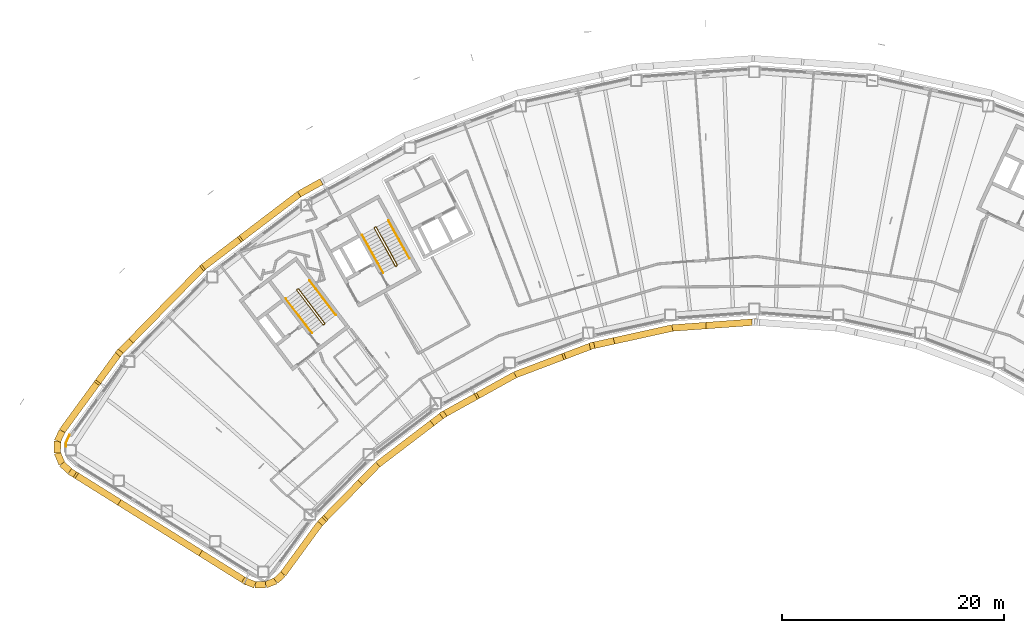
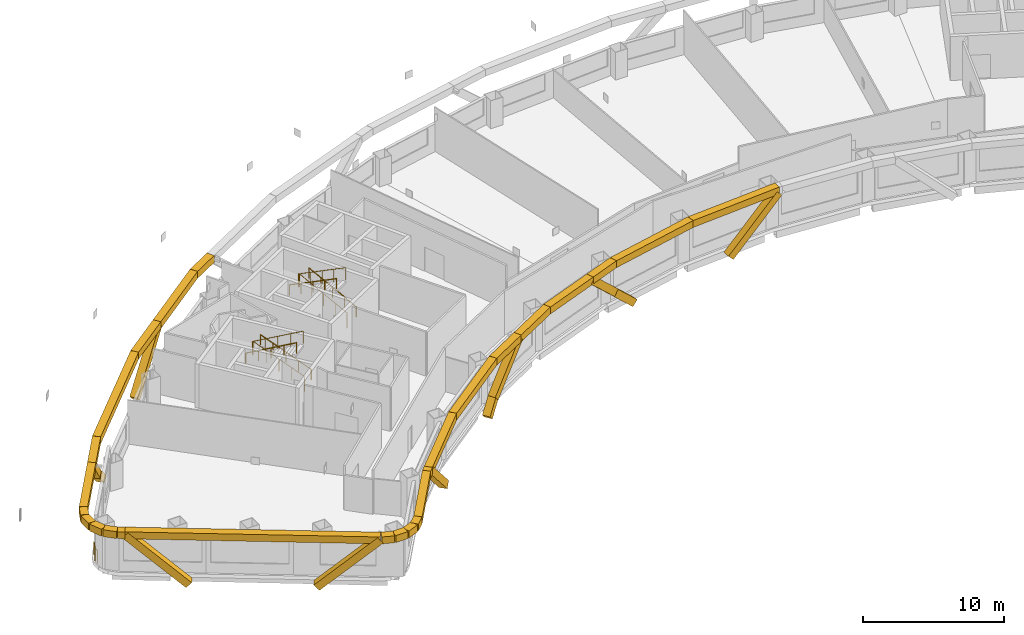
# One storey, part 16 of 19: 37 coverings, 7 railings.
"""IFC4 building model written with IfcOpenShell, lengths in metres."""

from ifc_helpers import new_model, si_unit, direction, frame, origin, origin_2d, place, context, subcontext, project, spatial, rectangle, circle, extrude, material, material_profile, profile_set, type_object, element, save


model = new_model("IFC4")

# Units and contexts
model_context = context("Model", 3, precision=1e-05, world=origin(), true_north=direction((0.0, 1.0)))
body_context = subcontext(model_context, "Body", "Model", "MODEL_VIEW")
ifc_project = project(units=[si_unit("LENGTHUNIT", "METRE"), si_unit("AREAUNIT", "SQUARE_METRE"), si_unit("VOLUMEUNIT", "CUBIC_METRE"), si_unit("PLANEANGLEUNIT", "RADIAN"), si_unit("MASSUNIT", "GRAM", prefix="KILO")], contexts=[model_context])

# Site, building, storey
site_placement = place(None, origin())
site = spatial("IfcSite", under=ifc_project, at=site_placement, CompositionType="ELEMENT")
building_placement = place(site_placement, origin())
building = spatial("IfcBuilding", under=site, at=building_placement, Name="Tuul Gate Civic Tower", CompositionType="ELEMENT")
storey_placement = place(building_placement, frame((0.0, 0.0, 163.39990234375)))
storey = spatial("IfcBuildingStorey", under=building, at=storey_placement, Name="Level 37", CompositionType="ELEMENT", Elevation=163.39990234375)

# Railings
ifc_material_1 = material(Name="Stainless steel", Category="steel")
railing_type_1 = type_object("IfcRailingType", Name="Edge guard", PredefinedType="GUARDRAIL", material=ifc_material_1)
railing_1_placement = place(storey_placement, frame((-56.40185546875, -23.521240234375, 0.0)))
element("IfcRailing", 1, at=railing_1_placement, inside=storey, type_object=railing_type_1, Name="Guard", PredefinedType="GUARDRAIL", context=body_context, shape_type="SweptSolid", body=[
    extrude(circle(Radius=0.02392578125, at=origin_2d()), frame((0.0, 0.0, 1.076171875), z_axis=(-0.415046684362, -0.9098001153, 0.0), x_axis=(0.9098001153, -0.415046684362, 0.0)), (0.0, 0.0, 1.0), 0.768798828125),
    extrude(circle(Radius=0.02392578125, at=origin_2d()), frame((-0.319091796875, -0.699462890625, 1.076171875), z_axis=(-0.024648056909, -0.999696190495, 0.0), x_axis=(0.999696190495, -0.024648056909, 0.0)), (0.0, 0.0, 1.0), 0.336669921875),
    extrude(circle(Radius=0.02099609375, at=origin_2d()), origin(), (0.0, 0.0, 1.0), 1.052001953125),
    extrude(circle(Radius=0.02099609375, at=origin_2d()), frame((-0.319091796875, -0.699462890625, 0.0)), (0.0, 0.0, 1.0), 1.052001953125),
    extrude(circle(Radius=0.02099609375, at=origin_2d()), frame((-0.327392578125, -1.0361328125, 0.0)), (0.0, 0.0, 1.0), 1.052001953125),
])
ifc_material_2 = material(Name="Painted steel", Category="steel")
railing_type_2 = type_object("IfcRailingType", Name="Stair guard", PredefinedType="GUARDRAIL", material=ifc_material_2)
railing_2_placement = place(storey_placement, frame((-33.382080078125, -13.515380859375, 0.0)))
element("IfcRailing", 2, at=railing_2_placement, inside=storey, type_object=railing_type_2, Name="Level 37 ST-1 stair guard 1", PredefinedType="GUARDRAIL", context=body_context, shape_type="SweptSolid", body=[
    extrude(circle(Radius=0.02392578125, at=origin_2d()), frame((0.0, 0.0, 1.076171875), z_axis=(-0.795879841968, -0.605454603706, 0.0), x_axis=(0.605454603706, -0.795879841968, 0.0)), (0.0, 0.0, 1.0), 0.10009765625),
    extrude(circle(Radius=0.02392578125, at=origin_2d()), frame((-0.07958984375, -0.060546875, 1.076171875), z_axis=(0.408676696321, 0.599019267211, 0.688592241747), x_axis=(-0.826063974707, 0.563576356576, 0.0)), (0.0, 0.0, 1.0), 0.218017578125),
    extrude(circle(Radius=0.02392578125, at=origin_2d()), frame((0.009521484375, 0.070068359375, 1.22607421875), z_axis=(-0.541824460341, 0.711645023348, 0.447199748346), x_axis=(-0.795637165283, -0.60577347352, 0.0)), (0.0, 0.0, 1.0), 4.3603515625),
    extrude(circle(Radius=0.02392578125, at=origin_2d()), frame((-2.35302734375, 3.173095703125, 3.17626953125), z_axis=(-0.990893089246, 0.134650977284, 0.0), x_axis=(-0.134650977284, -0.990893089246, 0.0)), (0.0, 0.0, 1.0), 0.07080078125),
    extrude(circle(Radius=0.02392578125, at=origin_2d()), frame((-2.423095703125, 3.1826171875, 3.17626953125), z_axis=(-0.793802879778, -0.60817512943, 0.0), x_axis=(0.60817512943, -0.793802879778, 0.0)), (0.0, 0.0, 1.0), 0.099853515625),
    extrude(circle(Radius=0.02392578125, at=origin_2d()), frame((-2.50244140625, 3.121826171875, 3.17626953125), z_axis=(-0.057447065493, -0.422751481959, 0.904423031091), x_axis=(0.990893089246, -0.134650977284, 0.0)), (0.0, 0.0, 1.0), 0.165771484375),
    extrude(circle(Radius=0.02392578125, at=origin_2d()), frame((-2.511962890625, 3.0517578125, 3.326171875), z_axis=(0.541792925989, -0.711621155064, 0.447275929392), x_axis=(0.795644365679, 0.605764016233, 0.0)), (0.0, 0.0, 1.0), 4.360107421875),
    extrude(circle(Radius=0.02099609375, at=origin_2d()), origin(), (0.0, 0.0, 1.0), 1.052001953125),
    extrude(circle(Radius=0.02099609375, at=origin_2d()), frame((-0.07958984375, -0.060546875, 0.0)), (0.0, 0.0, 1.0), 1.052001953125),
    extrude(circle(Radius=0.02099609375, at=origin_2d()), frame((0.009521484375, 0.070068359375, 0.150146484375)), (0.0, 0.0, 1.0), 1.052001953125),
    extrude(circle(Radius=0.02099609375, at=origin_2d()), frame((-0.5810546875, 0.845703125, 0.6376953125)), (0.0, 0.0, 1.0), 1.052001953125),
    extrude(circle(Radius=0.02099609375, at=origin_2d()), frame((-1.171875, 1.62158203125, 1.125)), (0.0, 0.0, 1.0), 1.052001953125),
    extrude(circle(Radius=0.02099609375, at=origin_2d()), frame((-1.762451171875, 2.3974609375, 1.612548828125)), (0.0, 0.0, 1.0), 1.052001953125),
    extrude(circle(Radius=0.02099609375, at=origin_2d()), frame((-2.35302734375, 3.173095703125, 2.10009765625)), (0.0, 0.0, 1.0), 1.052001953125),
    extrude(circle(Radius=0.02099609375, at=origin_2d()), frame((-2.423095703125, 3.1826171875, 2.10009765625)), (0.0, 0.0, 1.0), 1.052001953125),
    extrude(circle(Radius=0.02099609375, at=origin_2d()), frame((-2.50244140625, 3.121826171875, 2.10009765625)), (0.0, 0.0, 1.0), 1.052001953125),
    extrude(circle(Radius=0.02099609375, at=origin_2d()), frame((-2.511962890625, 3.0517578125, 2.25)), (0.0, 0.0, 1.0), 1.052001953125),
    extrude(circle(Radius=0.02099609375, at=origin_2d()), frame((-1.92138671875, 2.276123046875, 2.737548828125)), (0.0, 0.0, 1.0), 1.052001953125),
    extrude(circle(Radius=0.02099609375, at=origin_2d()), frame((-1.330810546875, 1.50048828125, 3.22509765625)), (0.0, 0.0, 1.0), 1.052001953125),
    extrude(circle(Radius=0.02099609375, at=origin_2d()), frame((-0.740234375, 0.724609375, 3.712646484375)), (0.0, 0.0, 1.0), 1.052001953125),
    extrude(circle(Radius=0.02099609375, at=origin_2d()), frame((-0.149658203125, -0.051025390625, 4.2001953125)), (0.0, 0.0, 1.0), 1.052001953125),
])
railing_3_placement = place(storey_placement, frame((-26.857666015625, -8.247314453125, 0.0)))
element("IfcRailing", 3, at=railing_3_placement, inside=storey, type_object=railing_type_2, Name="Level 37 ST-2 stair guard 1", PredefinedType="GUARDRAIL", context=body_context, shape_type="SweptSolid", body=[
    extrude(circle(Radius=0.02392578125, at=origin_2d()), frame((0.0, 0.0, 1.076171875), z_axis=(-0.874616555828, -0.48481530532, 0.0), x_axis=(0.48481530532, -0.874616555828, 0.0)), (0.0, 0.0, 1.0), 0.10009765625),
    extrude(circle(Radius=0.02392578125, at=origin_2d()), frame((-0.087646484375, -0.048583984375, 1.076171875), z_axis=(0.490435707169, 0.534104639999, 0.688625479244), x_axis=(-0.736576986774, 0.676353711126, 0.0)), (0.0, 0.0, 1.0), 0.218017578125),
    extrude(circle(Radius=0.02392578125, at=origin_2d()), frame((0.019287109375, 0.06787109375, 1.22607421875), z_axis=(-0.43354991378, 0.782327185242, 0.447212083348), x_axis=(-0.874667644053, -0.484723129681, 0.0)), (0.0, 0.0, 1.0), 4.3603515625),
    extrude(circle(Radius=0.02392578125, at=origin_2d()), frame((-1.87109375, 3.47900390625, 3.17626953125), z_axis=(-0.961263487578, 0.275631107549, 0.0), x_axis=(-0.275631107549, -0.961263487578, 0.0)), (0.0, 0.0, 1.0), 0.07080078125),
    extrude(circle(Radius=0.02392578125, at=origin_2d()), frame((-1.939208984375, 3.49853515625, 3.17626953125), z_axis=(-0.874042088414, -0.485850211157, 0.0), x_axis=(0.485850211157, -0.874042088414, 0.0)), (0.0, 0.0, 1.0), 0.10009765625),
    extrude(circle(Radius=0.02392578125, at=origin_2d()), frame((-2.026611328125, 3.449951171875, 3.17626953125), z_axis=(-0.117866478395, -0.409586012422, 0.90462522168), x_axis=(0.961000426733, -0.276546885391, 0.0)), (0.0, 0.0, 1.0), 0.165771484375),
    extrude(circle(Radius=0.02392578125, at=origin_2d()), frame((-2.046142578125, 3.382080078125, 3.326171875), z_axis=(0.433584522764, -0.782288604346, 0.447246018574), x_axis=(0.874641102302, 0.484771020343, 0.0)), (0.0, 0.0, 1.0), 4.3603515625),
    extrude(circle(Radius=0.02099609375, at=origin_2d()), origin(), (0.0, 0.0, 1.0), 1.052001953125),
    extrude(circle(Radius=0.02099609375, at=origin_2d()), frame((-0.087646484375, -0.048583984375, 0.0)), (0.0, 0.0, 1.0), 1.052001953125),
    extrude(circle(Radius=0.02099609375, at=origin_2d()), frame((0.019287109375, 0.06787109375, 0.150146484375)), (0.0, 0.0, 1.0), 1.052001953125),
    extrude(circle(Radius=0.02099609375, at=origin_2d()), frame((-0.453369140625, 0.920654296875, 0.6376953125)), (0.0, 0.0, 1.0), 1.052001953125),
    extrude(circle(Radius=0.02099609375, at=origin_2d()), frame((-0.92578125, 1.7734375, 1.125)), (0.0, 0.0, 1.0), 1.052001953125),
    extrude(circle(Radius=0.02099609375, at=origin_2d()), frame((-1.3984375, 2.626220703125, 1.612548828125)), (0.0, 0.0, 1.0), 1.052001953125),
    extrude(circle(Radius=0.02099609375, at=origin_2d()), frame((-1.87109375, 3.47900390625, 2.10009765625)), (0.0, 0.0, 1.0), 1.052001953125),
    extrude(circle(Radius=0.02099609375, at=origin_2d()), frame((-1.939208984375, 3.49853515625, 2.10009765625)), (0.0, 0.0, 1.0), 1.052001953125),
    extrude(circle(Radius=0.02099609375, at=origin_2d()), frame((-2.026611328125, 3.449951171875, 2.10009765625)), (0.0, 0.0, 1.0), 1.052001953125),
    extrude(circle(Radius=0.02099609375, at=origin_2d()), frame((-2.046142578125, 3.382080078125, 2.25)), (0.0, 0.0, 1.0), 1.052001953125),
    extrude(circle(Radius=0.02099609375, at=origin_2d()), frame((-1.573486328125, 2.529296875, 2.737548828125)), (0.0, 0.0, 1.0), 1.052001953125),
    extrude(circle(Radius=0.02099609375, at=origin_2d()), frame((-1.100830078125, 1.676513671875, 3.22509765625)), (0.0, 0.0, 1.0), 1.052001953125),
    extrude(circle(Radius=0.02099609375, at=origin_2d()), frame((-0.628173828125, 0.82373046875, 3.712646484375)), (0.0, 0.0, 1.0), 1.052001953125),
    extrude(circle(Radius=0.02099609375, at=origin_2d()), frame((-0.155517578125, -0.029052734375, 4.2001953125)), (0.0, 0.0, 1.0), 1.052001953125),
])
ifc_material_3 = material(Name="Painted steel", Category="steel")
railing_type_3 = type_object("IfcRailingType", Name="Stair handrail", PredefinedType="HANDRAIL", material=ifc_material_3)
railing_4_placement = place(storey_placement, frame((-32.3779296875, -12.688232421875, 0.150146484375)))
element("IfcRailing", 4, at=railing_4_placement, inside=storey, type_object=railing_type_3, Name="Level 37 ST-1 stair handrail 1", PredefinedType="HANDRAIL", context=body_context, shape_type="SweptSolid", body=[
    extrude(circle(Radius=0.02392578125, at=origin_2d()), frame((0.0, 0.0, 0.8759765625), z_axis=(-0.541824460341, 0.711645023348, 0.447199748346), x_axis=(-0.795637165283, -0.60577347352, 0.0)), (0.0, 0.0, 1.0), 4.3603515625),
    extrude(circle(Radius=0.02099609375, at=origin_2d()), origin(), (0.0, 0.0, 1.0), 0.851806640625),
    extrude(circle(Radius=0.02099609375, at=origin_2d()), frame((-0.590576171875, 0.77587890625, 0.487548828125)), (0.0, 0.0, 1.0), 0.851806640625),
    extrude(circle(Radius=0.02099609375, at=origin_2d()), frame((-1.18115234375, 1.551513671875, 0.97509765625)), (0.0, 0.0, 1.0), 0.851806640625),
    extrude(circle(Radius=0.02099609375, at=origin_2d()), frame((-1.77197265625, 2.3271484375, 1.46240234375)), (0.0, 0.0, 1.0), 0.851806640625),
    extrude(circle(Radius=0.02099609375, at=origin_2d()), frame((-2.362548828125, 3.10302734375, 1.949951171875)), (0.0, 0.0, 1.0), 0.851806640625),
])
railing_5_placement = place(storey_placement, frame((-36.888671875, -11.220703125, 2.25)))
element("IfcRailing", 5, at=railing_5_placement, inside=storey, type_object=railing_type_3, Name="Level 37 ST-1 stair handrail 2", PredefinedType="HANDRAIL", context=body_context, shape_type="SweptSolid", body=[
    extrude(circle(Radius=0.02392578125, at=origin_2d()), frame((0.0, 0.0, 0.8759765625), z_axis=(0.541810893183, -0.711627203922, 0.44724454012), x_axis=(0.795637165283, 0.60577347352, 0.0)), (0.0, 0.0, 1.0), 4.3603515625),
    extrude(circle(Radius=0.02099609375, at=origin_2d()), origin(), (0.0, 0.0, 1.0), 0.851806640625),
    extrude(circle(Radius=0.02099609375, at=origin_2d()), frame((0.590576171875, -0.77587890625, 0.487548828125)), (0.0, 0.0, 1.0), 0.851806640625),
    extrude(circle(Radius=0.02099609375, at=origin_2d()), frame((1.18115234375, -1.551513671875, 0.97509765625)), (0.0, 0.0, 1.0), 0.851806640625),
    extrude(circle(Radius=0.02099609375, at=origin_2d()), frame((1.77197265625, -2.3271484375, 1.462646484375)), (0.0, 0.0, 1.0), 0.851806640625),
    extrude(circle(Radius=0.02099609375, at=origin_2d()), frame((2.362548828125, -3.10302734375, 1.9501953125)), (0.0, 0.0, 1.0), 0.851806640625),
])
railing_6_placement = place(storey_placement, frame((-25.744873046875, -7.573486328125, 0.150146484375)))
element("IfcRailing", 6, at=railing_6_placement, inside=storey, type_object=railing_type_3, Name="Level 37 ST-2 stair handrail 1", PredefinedType="HANDRAIL", context=body_context, shape_type="SweptSolid", body=[
    extrude(circle(Radius=0.02392578125, at=origin_2d()), frame((0.0, 0.0, 0.8759765625), z_axis=(-0.433595379963, 0.782308193291, 0.447201226726), x_axis=(-0.874641102302, -0.484771020343, 0.0)), (0.0, 0.0, 1.0), 4.3603515625),
    extrude(circle(Radius=0.02099609375, at=origin_2d()), origin(), (0.0, 0.0, 1.0), 0.851806640625),
    extrude(circle(Radius=0.02099609375, at=origin_2d()), frame((-0.47265625, 0.852783203125, 0.487548828125)), (0.0, 0.0, 1.0), 0.851806640625),
    extrude(circle(Radius=0.02099609375, at=origin_2d()), frame((-0.9453125, 1.70556640625, 0.97509765625)), (0.0, 0.0, 1.0), 0.851806640625),
    extrude(circle(Radius=0.02099609375, at=origin_2d()), frame((-1.41796875, 2.558349609375, 1.46240234375)), (0.0, 0.0, 1.0), 0.851806640625),
    extrude(circle(Radius=0.02099609375, at=origin_2d()), frame((-1.890625, 3.4111328125, 1.949951171875)), (0.0, 0.0, 1.0), 0.851806640625),
])
railing_7_placement = place(storey_placement, frame((-29.9970703125, -5.47119140625, 2.25)))
element("IfcRailing", 7, at=railing_7_placement, inside=storey, type_object=railing_type_3, Name="Level 37 ST-2 stair handrail 2", PredefinedType="HANDRAIL", context=body_context, shape_type="SweptSolid", body=[
    extrude(circle(Radius=0.02392578125, at=origin_2d()), frame((0.0, 0.0, 0.8759765625), z_axis=(0.433584522764, -0.782288604346, 0.447246018574), x_axis=(0.874641102302, 0.484771020343, 0.0)), (0.0, 0.0, 1.0), 4.3603515625),
    extrude(circle(Radius=0.02099609375, at=origin_2d()), origin(), (0.0, 0.0, 1.0), 0.851806640625),
    extrude(circle(Radius=0.02099609375, at=origin_2d()), frame((0.47265625, -0.852783203125, 0.487548828125)), (0.0, 0.0, 1.0), 0.851806640625),
    extrude(circle(Radius=0.02099609375, at=origin_2d()), frame((0.9453125, -1.70556640625, 0.97509765625)), (0.0, 0.0, 1.0), 0.851806640625),
    extrude(circle(Radius=0.02099609375, at=origin_2d()), frame((1.41796875, -2.558349609375, 1.462646484375)), (0.0, 0.0, 1.0), 0.851806640625),
    extrude(circle(Radius=0.02099609375, at=origin_2d()), frame((1.890625, -3.4111328125, 1.9501953125)), (0.0, 0.0, 1.0), 0.851806640625),
])

# Coverings
ifc_material_4 = material(Name="Terracotta baguette", Category="masonry")
ifc_material_profile = material_profile(ifc_material_4, rectangle(XDim=0.60009765625, YDim=0.60009765625, at=origin_2d()), Name="Terracotta baguette screen frame")
ifc_profile_set = profile_set([ifc_material_profile], Name="Terracotta baguette")
covering_type = type_object("IfcCoveringType", Name="Terracotta baguette screen frame", PredefinedType="CLADDING", material=ifc_profile_set)
covering_1_placement = place(storey_placement, frame((-33.666259765625, -0.663818359375, 3.85009765625), z_axis=(-0.874610686965, -0.484825892714, 0.0), x_axis=(0.484825892714, -0.874610686965, 0.0)))
element("IfcCovering", 8, at=covering_1_placement, inside=storey, type_object=covering_type, Name="Baguette 109", PredefinedType="CLADDING", context=body_context, shape_type="SweptSolid", body=[
    extrude(rectangle(XDim=0.60009765625, YDim=0.60009765625, at=origin_2d()), origin(), (0.0, 0.0, 1.0), 2.309326171875),
])
covering_2_placement = place(storey_placement, frame((-35.68603515625, -1.783447265625, 3.85009765625), z_axis=(-0.795612332885, -0.60580608759, 0.0), x_axis=(0.60580608759, -0.795612332885, 0.0)))
element("IfcCovering", 9, at=covering_2_placement, inside=storey, type_object=covering_type, Name="Baguette 110", PredefinedType="CLADDING", context=body_context, shape_type="SweptSolid", body=[
    extrude(rectangle(XDim=0.60009765625, YDim=0.60009765625, at=origin_2d()), origin(), (0.0, 0.0, 1.0), 6.76318359375),
])
covering_3_placement = place(storey_placement, frame((-41.06689453125, -5.880615234375, 3.85009765625), z_axis=(-0.583816138922, -0.444511815149, -0.679387931986), x_axis=(0.605784088949, -0.795629082913, 0.0)))
element("IfcCovering", 10, at=covering_3_placement, inside=storey, type_object=covering_type, Name="Baguette 113", PredefinedType="CLADDING", context=body_context, shape_type="SweptSolid", body=[
    extrude(rectangle(XDim=0.60009765625, YDim=0.60009765625, at=origin_2d()), origin(), (0.0, 0.0, 1.0), 5.571533203125),
])
covering_4_placement = place(storey_placement, frame((-50.984375, -15.15576171875, -0.349853515625), z_axis=(-0.513633341311, -0.524002970908, 0.679412744341), x_axis=(0.714137600713, -0.700005348013, 0.0)))
element("IfcCovering", 11, at=covering_4_placement, inside=storey, type_object=covering_type, Name="Baguette 127", PredefinedType="CLADDING", context=body_context, shape_type="SweptSolid", body=[
    extrude(rectangle(XDim=0.60009765625, YDim=0.60009765625, at=origin_2d()), origin(), (0.0, 0.0, 1.0), 1.81298828125),
])
covering_5_placement = place(storey_placement, frame((-51.91552734375, -16.105712890625, 0.8818359375), z_axis=(-0.433770609351, -0.593982647106, 0.677515810443), x_axis=(0.807581260464, -0.589756312173, 0.0)))
element("IfcCovering", 12, at=covering_5_placement, inside=storey, type_object=covering_type, Name="Baguette 128", PredefinedType="CLADDING", context=body_context, shape_type="SweptSolid", body=[
    extrude(rectangle(XDim=0.60009765625, YDim=0.60009765625, at=origin_2d()), origin(), (0.0, 0.0, 1.0), 4.381103515625),
])
covering_6_placement = place(storey_placement, frame((-53.81591796875, -18.7080078125, 3.85009765625), z_axis=(-0.589768947731, -0.807572032881, 0.0), x_axis=(0.807572032881, -0.589768947731, 0.0)))
element("IfcCovering", 13, at=covering_6_placement, inside=storey, type_object=covering_type, Name="Baguette 141", PredefinedType="CLADDING", context=body_context, shape_type="SweptSolid", body=[
    extrude(rectangle(XDim=0.60009765625, YDim=0.60009765625, at=origin_2d()), origin(), (0.0, 0.0, 1.0), 5.5126953125),
])
covering_7_placement = place(storey_placement, frame((-57.067138671875, -23.159912109375, 3.85009765625), z_axis=(-0.413393330634, -0.910552554325, 0.0), x_axis=(0.910552554325, -0.413393330634, 0.0)))
element("IfcCovering", 14, at=covering_7_placement, inside=storey, type_object=covering_type, Name="Baguette 142", PredefinedType="CLADDING", context=body_context, shape_type="SweptSolid", body=[
    extrude(rectangle(XDim=0.60009765625, YDim=0.60009765625, at=origin_2d()), origin(), (0.0, 0.0, 1.0), 0.988037109375),
])
covering_8_placement = place(storey_placement, frame((-57.4755859375, -24.0595703125, 3.85009765625), z_axis=(-0.014633694716, -0.999892921757, 0.0), x_axis=(0.999892921757, -0.014633694716, 0.0)))
element("IfcCovering", 15, at=covering_8_placement, inside=storey, type_object=covering_type, Name="Baguette 143", PredefinedType="CLADDING", context=body_context, shape_type="SweptSolid", body=[
    extrude(rectangle(XDim=0.60009765625, YDim=0.60009765625, at=origin_2d()), origin(), (0.0, 0.0, 1.0), 1.067626953125),
])
covering_9_placement = place(storey_placement, frame((-57.4912109375, -25.127197265625, 3.85009765625), z_axis=(0.385784883999, -0.922588761734, 0.0), x_axis=(0.922588761734, 0.385784883999, 0.0)))
element("IfcCovering", 16, at=covering_9_placement, inside=storey, type_object=covering_type, Name="Baguette 144", PredefinedType="CLADDING", context=body_context, shape_type="SweptSolid", body=[
    extrude(rectangle(XDim=0.60009765625, YDim=0.60009765625, at=origin_2d()), origin(), (0.0, 0.0, 1.0), 1.06689453125),
])
covering_10_placement = place(storey_placement, frame((-57.07958984375, -26.111572265625, 3.85009765625), z_axis=(0.722137314744, -0.691749737011, 0.0), x_axis=(0.691749737011, 0.722137314744, 0.0)))
element("IfcCovering", 17, at=covering_10_placement, inside=storey, type_object=covering_type, Name="Baguette 145", PredefinedType="CLADDING", context=body_context, shape_type="SweptSolid", body=[
    extrude(rectangle(XDim=0.60009765625, YDim=0.60009765625, at=origin_2d()), origin(), (0.0, 0.0, 1.0), 0.98828125),
])
covering_11_placement = place(storey_placement, frame((-56.365966796875, -26.795166015625, 3.85009765625), z_axis=(0.84817691288, -0.529713058606, 0.0), x_axis=(0.529713058606, 0.84817691288, 0.0)))
element("IfcCovering", 18, at=covering_11_placement, inside=storey, type_object=covering_type, Name="Baguette 146", PredefinedType="CLADDING", context=body_context, shape_type="SweptSolid", body=[
    extrude(rectangle(XDim=0.60009765625, YDim=0.60009765625, at=origin_2d()), origin(), (0.0, 0.0, 1.0), 0.537353515625),
])
for number, where, z_axis, x_axis, name in (
    (19, (-55.91015625, -27.079833984375, 3.85009765625), (0.621682648798, -0.388452812544, -0.680158140884), (0.529901976461, 0.848058898511, 0.0), "Baguette 148"),
    (20, (-44.393798828125, -34.27587890625, -0.349853515625), (0.621673100525, -0.388486382966, 0.6801476945), (0.529940764372, 0.848034661, 0.0), "Baguette 156"),
):
    element("IfcCovering", number, at=place(storey_placement, frame(where, z_axis=z_axis, x_axis=x_axis)), inside=storey, type_object=covering_type, Name=name, PredefinedType="CLADDING", context=body_context, shape_type="SweptSolid", body=[
        extrude(rectangle(XDim=0.60009765625, YDim=0.60009765625, at=origin_2d()), origin(), (0.0, 0.0, 1.0), 6.175048828125),
    ])
covering_12_placement = place(storey_placement, frame((-40.5107421875, -36.702392578125, 3.85009765625), z_axis=(0.93189278144, -0.362733847194, 0.0), x_axis=(0.362733847194, 0.93189278144, 0.0)))
element("IfcCovering", 21, at=covering_12_placement, inside=storey, type_object=covering_type, Name="Baguette 172", PredefinedType="CLADDING", context=body_context, shape_type="SweptSolid", body=[
    extrude(rectangle(XDim=0.60009765625, YDim=0.60009765625, at=origin_2d()), origin(), (0.0, 0.0, 1.0), 0.901123046875),
])
covering_13_placement = place(storey_placement, frame((-39.6708984375, -37.029296875, 3.85009765625), z_axis=(0.999996192163, 0.002759648297, 0.0), x_axis=(-0.002759648297, 0.999996192163, 0.0)))
element("IfcCovering", 22, at=covering_13_placement, inside=storey, type_object=covering_type, Name="Baguette 173", PredefinedType="CLADDING", context=body_context, shape_type="SweptSolid", body=[
    extrude(rectangle(XDim=0.60009765625, YDim=0.60009765625, at=origin_2d()), origin(), (0.0, 0.0, 1.0), 0.97314453125),
])
covering_14_placement = place(storey_placement, frame((-38.69775390625, -37.026611328125, 3.85009765625), z_axis=(0.929647485715, 0.36845020329, 0.0), x_axis=(-0.36845020329, 0.929647485715, 0.0)))
element("IfcCovering", 23, at=covering_14_placement, inside=storey, type_object=covering_type, Name="Baguette 174", PredefinedType="CLADDING", context=body_context, shape_type="SweptSolid", body=[
    extrude(rectangle(XDim=0.60009765625, YDim=0.60009765625, at=origin_2d()), origin(), (0.0, 0.0, 1.0), 0.97412109375),
])
covering_15_placement = place(storey_placement, frame((-37.792236328125, -36.667724609375, 3.85009765625), z_axis=(0.730001285686, 0.683445771731, 0.0), x_axis=(-0.683445771731, 0.730001285686, 0.0)))
element("IfcCovering", 24, at=covering_15_placement, inside=storey, type_object=covering_type, Name="Baguette 175", PredefinedType="CLADDING", context=body_context, shape_type="SweptSolid", body=[
    extrude(rectangle(XDim=0.60009765625, YDim=0.60009765625, at=origin_2d()), origin(), (0.0, 0.0, 1.0), 0.902099609375),
])
covering_16_placement = place(storey_placement, frame((-37.1337890625, -36.05126953125, 3.85009765625), z_axis=(0.589729447422, 0.807600878432, 0.0), x_axis=(-0.807600878432, 0.589729447422, 0.0)))
element("IfcCovering", 25, at=covering_16_placement, inside=storey, type_object=covering_type, Name="Baguette 176", PredefinedType="CLADDING", context=body_context, shape_type="SweptSolid", body=[
    extrude(rectangle(XDim=0.60009765625, YDim=0.60009765625, at=origin_2d()), origin(), (0.0, 0.0, 1.0), 5.671142578125),
])
covering_17_placement = place(storey_placement, frame((-33.789306640625, -31.47119140625, 3.85009765625), z_axis=(0.69989931795, 0.714241517088, 0.0), x_axis=(-0.714241517088, 0.69989931795, 0.0)))
element("IfcCovering", 26, at=covering_17_placement, inside=storey, type_object=covering_type, Name="Baguette 177", PredefinedType="CLADDING", context=body_context, shape_type="SweptSolid", body=[
    extrude(rectangle(XDim=0.60009765625, YDim=0.60009765625, at=origin_2d()), origin(), (0.0, 0.0, 1.0), 0.5107421875),
])
covering_18_placement = place(storey_placement, frame((-33.431884765625, -31.1064453125, 3.85009765625), z_axis=(0.507801056975, 0.518004293089, -0.688338317164), x_axis=(-0.714104738574, 0.700038872025, 0.0)))
element("IfcCovering", 27, at=covering_18_placement, inside=storey, type_object=covering_type, Name="Baguette 179", PredefinedType="CLADDING", context=body_context, shape_type="SweptSolid", body=[
    extrude(rectangle(XDim=0.60009765625, YDim=0.60009765625, at=origin_2d()), origin(), (0.0, 0.0, 1.0), 6.1015625),
])
covering_19_placement = place(storey_placement, frame((-23.5283203125, -22.314208984375, -0.349853515625), z_axis=(0.577209558633, 0.439416415608, 0.688289429758), x_axis=(-0.605727180009, 0.7956724096, 0.0)))
element("IfcCovering", 28, at=covering_19_placement, inside=storey, type_object=covering_type, Name="Baguette 192", PredefinedType="CLADDING", context=body_context, shape_type="SweptSolid", body=[
    extrude(rectangle(XDim=0.60009765625, YDim=0.60009765625, at=origin_2d()), origin(), (0.0, 0.0, 1.0), 1.444091796875),
])
covering_20_placement = place(storey_placement, frame((-22.69482421875, -21.6796875, 0.64404296875), z_axis=(0.634419493098, 0.351674822704, 0.688357992511), x_axis=(-0.484820540629, 0.874613653783, 0.0)))
element("IfcCovering", 29, at=covering_20_placement, inside=storey, type_object=covering_type, Name="Baguette 193", PredefinedType="CLADDING", context=body_context, shape_type="SweptSolid", body=[
    extrude(rectangle(XDim=0.60009765625, YDim=0.60009765625, at=origin_2d()), origin(), (0.0, 0.0, 1.0), 4.657470703125),
])
covering_21_placement = place(storey_placement, frame((-19.739990234375, -20.041748046875, 3.85009765625), z_axis=(0.874618697284, 0.484811442069, 0.0), x_axis=(-0.484811442069, 0.874618697284, 0.0)))
element("IfcCovering", 30, at=covering_21_placement, inside=storey, type_object=covering_type, Name="Baguette 198", PredefinedType="CLADDING", context=body_context, shape_type="SweptSolid", body=[
    extrude(rectangle(XDim=0.60009765625, YDim=0.60009765625, at=origin_2d()), origin(), (0.0, 0.0, 1.0), 4.039794921875),
])
covering_22_placement = place(storey_placement, frame((-16.206787109375, -18.083251953125, 3.85009765625), z_axis=(0.935356130201, 0.353707378628, 0.0), x_axis=(-0.353707378628, 0.935356130201, 0.0)))
element("IfcCovering", 31, at=covering_22_placement, inside=storey, type_object=covering_type, Name="Baguette 199", PredefinedType="CLADDING", context=body_context, shape_type="SweptSolid", body=[
    extrude(rectangle(XDim=0.60009765625, YDim=0.60009765625, at=origin_2d()), origin(), (0.0, 0.0, 1.0), 4.812255859375),
])
covering_23_placement = place(storey_placement, frame((-11.70556640625, -16.381103515625, 3.85009765625), z_axis=(0.678499099244, 0.256527309211, -0.688355076943), x_axis=(-0.353648388587, 0.935378435314, 0.0)))
element("IfcCovering", 32, at=covering_23_placement, inside=storey, type_object=covering_type, Name="Baguette 202", PredefinedType="CLADDING", context=body_context, shape_type="SweptSolid", body=[
    extrude(rectangle(XDim=0.60009765625, YDim=0.60009765625, at=origin_2d()), origin(), (0.0, 0.0, 1.0), 3.591796875),
])
covering_24_placement = place(storey_placement, frame((-9.2685546875, -15.459716796875, 1.377685546875), z_axis=(0.708431226904, 0.156121394917, -0.688295944195), x_axis=(-0.215212210255, 0.976567306721, 0.0)))
element("IfcCovering", 33, at=covering_24_placement, inside=storey, type_object=covering_type, Name="Baguette 203", PredefinedType="CLADDING", context=body_context, shape_type="SweptSolid", body=[
    extrude(rectangle(XDim=0.60009765625, YDim=0.60009765625, at=origin_2d()), origin(), (0.0, 0.0, 1.0), 2.509765625),
])
covering_25_placement = place(storey_placement, frame((1.2216796875, -13.6279296875, -0.349853515625), z_axis=(0.723504242273, 0.05245065444, 0.688324444039), x_axis=(-0.072305541975, 0.997382528722, 0.0)))
element("IfcCovering", 34, at=covering_25_placement, inside=storey, type_object=covering_type, Name="Baguette 218", PredefinedType="CLADDING", context=body_context, shape_type="SweptSolid", body=[
    extrude(rectangle(XDim=0.60009765625, YDim=0.60009765625, at=origin_2d()), origin(), (0.0, 0.0, 1.0), 5.7392578125),
])
covering_26_placement = place(storey_placement, frame((-41.06689453125, -5.880615234375, 3.85009765625), z_axis=(-0.795629082913, -0.605784088949, 0.0), x_axis=(0.605784088949, -0.795629082913, 0.0)))
element("IfcCovering", 35, at=covering_26_placement, inside=storey, type_object=covering_type, Name="Baguette 429", PredefinedType="CLADDING", context=body_context, shape_type="SweptSolid", body=[
    extrude(rectangle(XDim=0.60009765625, YDim=0.60009765625, at=origin_2d()), origin(), (0.0, 0.0, 1.0), 4.088134765625),
])
covering_27_placement = place(storey_placement, frame((-44.319580078125, -8.357177734375, 3.85009765625), z_axis=(-0.700040591401, -0.714103053061, 0.0), x_axis=(0.714103053061, -0.700040591401, 0.0)))
element("IfcCovering", 36, at=covering_27_placement, inside=storey, type_object=covering_type, Name="Baguette 430", PredefinedType="CLADDING", context=body_context, shape_type="SweptSolid", body=[
    extrude(rectangle(XDim=0.60009765625, YDim=0.60009765625, at=origin_2d()), origin(), (0.0, 0.0, 1.0), 10.850830078125),
])
covering_28_placement = place(storey_placement, frame((-51.91552734375, -16.105712890625, 3.85009765625), z_axis=(-0.589756312173, -0.807581260464, 0.0), x_axis=(0.807581260464, -0.589756312173, 0.0)))
element("IfcCovering", 37, at=covering_28_placement, inside=storey, type_object=covering_type, Name="Baguette 431", PredefinedType="CLADDING", context=body_context, shape_type="SweptSolid", body=[
    extrude(rectangle(XDim=0.60009765625, YDim=0.60009765625, at=origin_2d()), origin(), (0.0, 0.0, 1.0), 3.222412109375),
])
covering_29_placement = place(storey_placement, frame((-55.91015625, -27.079833984375, 3.85009765625), z_axis=(0.848049052876, -0.529917733159, 0.0), x_axis=(0.529917733159, 0.848049052876, 0.0)))
element("IfcCovering", 38, at=covering_29_placement, inside=storey, type_object=covering_type, Name="Baguette 432", PredefinedType="CLADDING", context=body_context, shape_type="SweptSolid", body=[
    extrude(rectangle(XDim=0.60009765625, YDim=0.60009765625, at=origin_2d()), origin(), (0.0, 0.0, 1.0), 18.1064453125),
])
covering_30_placement = place(storey_placement, frame((-33.431884765625, -31.1064453125, 3.85009765625), z_axis=(0.700038192613, 0.714105404603, 0.0), x_axis=(-0.714105404603, 0.700038192613, 0.0)))
element("IfcCovering", 39, at=covering_30_placement, inside=storey, type_object=covering_type, Name="Baguette 433", PredefinedType="CLADDING", context=body_context, shape_type="SweptSolid", body=[
    extrude(rectangle(XDim=0.60009765625, YDim=0.60009765625, at=origin_2d()), origin(), (0.0, 0.0, 1.0), 6.907470703125),
])
covering_31_placement = place(storey_placement, frame((-28.596435546875, -26.173828125, 3.85009765625), z_axis=(0.795582797942, 0.60584487422, 0.0), x_axis=(-0.60584487422, 0.795582797942, 0.0)))
element("IfcCovering", 40, at=covering_31_placement, inside=storey, type_object=covering_type, Name="Baguette 434", PredefinedType="CLADDING", context=body_context, shape_type="SweptSolid", body=[
    extrude(rectangle(XDim=0.60009765625, YDim=0.60009765625, at=origin_2d()), origin(), (0.0, 0.0, 1.0), 7.41796875),
])
covering_32_placement = place(storey_placement, frame((-22.69482421875, -21.6796875, 3.85009765625), z_axis=(0.874613653783, 0.484820540629, 0.0), x_axis=(-0.484820540629, 0.874613653783, 0.0)))
element("IfcCovering", 41, at=covering_32_placement, inside=storey, type_object=covering_type, Name="Baguette 435", PredefinedType="CLADDING", context=body_context, shape_type="SweptSolid", body=[
    extrude(rectangle(XDim=0.60009765625, YDim=0.60009765625, at=origin_2d()), origin(), (0.0, 0.0, 1.0), 3.37841796875),
])
covering_33_placement = place(storey_placement, frame((-11.70556640625, -16.381103515625, 3.85009765625), z_axis=(0.935378435314, 0.353648388587, 0.0), x_axis=(-0.353648388587, 0.935378435314, 0.0)))
element("IfcCovering", 42, at=covering_33_placement, inside=storey, type_object=covering_type, Name="Baguette 436", PredefinedType="CLADDING", context=body_context, shape_type="SweptSolid", body=[
    extrude(rectangle(XDim=0.60009765625, YDim=0.60009765625, at=origin_2d()), origin(), (0.0, 0.0, 1.0), 2.60546875),
])
covering_34_placement = place(storey_placement, frame((-9.2685546875, -15.459716796875, 3.85009765625), z_axis=(0.976558886135, 0.215250416748, 0.0), x_axis=(-0.215250416748, 0.976558886135, 0.0)))
element("IfcCovering", 43, at=covering_34_placement, inside=storey, type_object=covering_type, Name="Baguette 437", PredefinedType="CLADDING", context=body_context, shape_type="SweptSolid", body=[
    extrude(rectangle(XDim=0.60009765625, YDim=0.60009765625, at=origin_2d()), origin(), (0.0, 0.0, 1.0), 7.417724609375),
])
covering_35_placement = place(storey_placement, frame((-2.024658203125, -13.863037109375, 3.85009765625), z_axis=(0.997384830366, 0.072273786091, 0.0), x_axis=(-0.072273786091, 0.997384830366, 0.0)))
element("IfcCovering", 44, at=covering_35_placement, inside=storey, type_object=covering_type, Name="Baguette 438", PredefinedType="CLADDING", context=body_context, shape_type="SweptSolid", body=[
    extrude(rectangle(XDim=0.60009765625, YDim=0.60009765625, at=origin_2d()), origin(), (0.0, 0.0, 1.0), 7.41796875),
])

save(model, "model.ifc")
